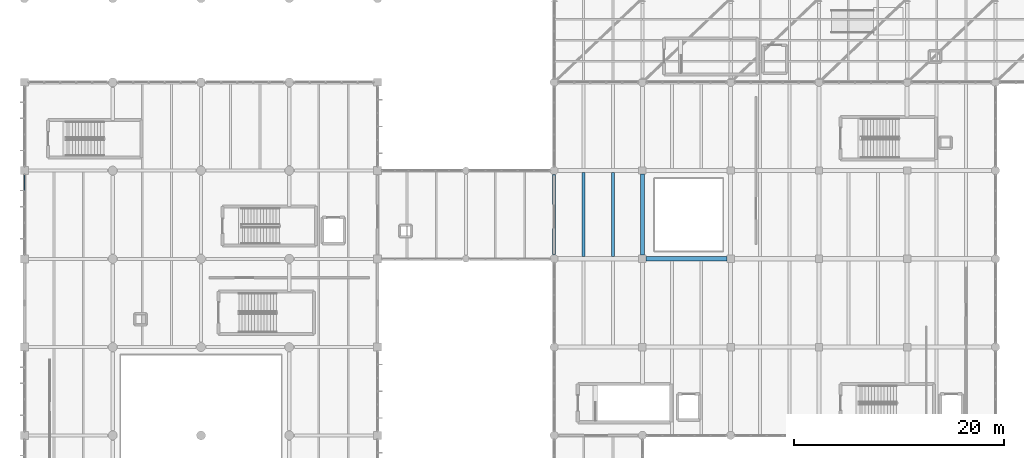
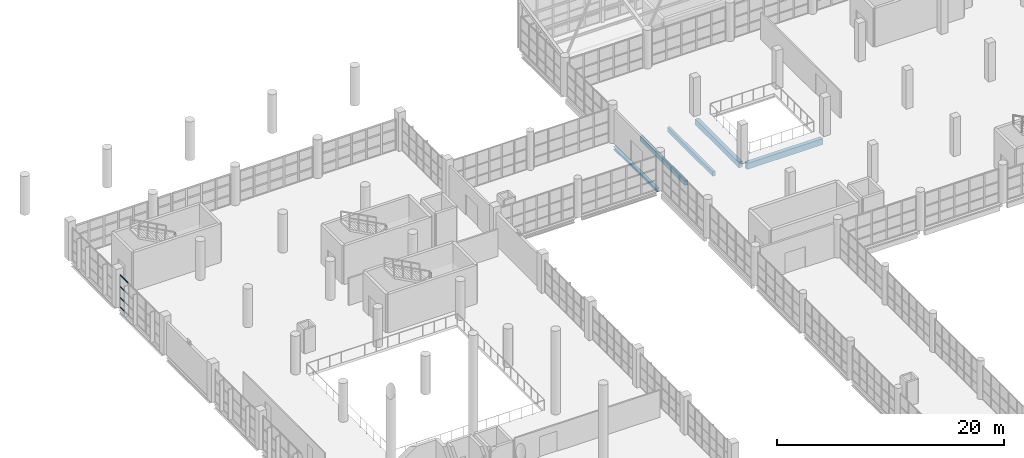
# One storey, part 69 of 177: 5 beams, 4 members, 1 element without a shape of its own.
"""IFC4 building model written with IfcOpenShell, lengths in metres."""

from ifc_helpers import new_model, si_unit, direction, frame, origin, origin_2d, place, context, subcontext, project, spatial, rectangle, hollow_rectangle, i_section, extrude, material, layer, layer_set, material_profile, profile_set, type_object, element, aggregate, save


model = new_model("IFC4")

# Units and contexts
model_context = context("Model", 3, precision=1e-05, world=origin(), true_north=direction((0.0, 1.0)))
body_context = subcontext(model_context, "Body", "Model", "MODEL_VIEW")
ifc_project = project(units=[si_unit("LENGTHUNIT", "METRE"), si_unit("AREAUNIT", "SQUARE_METRE"), si_unit("VOLUMEUNIT", "CUBIC_METRE"), si_unit("PLANEANGLEUNIT", "RADIAN"), si_unit("MASSUNIT", "GRAM", prefix="KILO"), si_unit("THERMODYNAMICTEMPERATUREUNIT", "KELVIN"), si_unit("POWERUNIT", "WATT")], contexts=[model_context])

# Site, building, storey
site_placement = place(None, origin())
site = spatial("IfcSite", under=ifc_project, at=site_placement, CompositionType="ELEMENT")
building_placement = place(site_placement, origin())
building = spatial("IfcBuilding", under=site, at=building_placement, Name="Mavoryth Pier Ferry Terminal", CompositionType="ELEMENT")
storey_placement = place(building_placement, frame((0.0, 0.0, 5.43994140625)))
storey = spatial("IfcBuildingStorey", under=building, at=storey_placement, Name="L01", CompositionType="ELEMENT", Elevation=5.43994140625)

# Beams
ifc_material_1 = material(Name="Concrete C35/45", Category="concrete")
ifc_material_profile_1 = material_profile(ifc_material_1, rectangle(XDim=0.3798828125, YDim=0.6201171875, at=origin_2d()), Name="RC 380x620", Category="concrete")
ifc_profile_set_1 = profile_set([ifc_material_profile_1], Name="Concrete C35/45 - RC 380x620")
beam_type_1 = type_object("IfcBeamType", Name="Girder-RC-380x620", PredefinedType="BEAM", material=ifc_profile_set_1)
beam_1_placement = place(storey_placement, frame((58.800048828125, 89.550048828125, -0.58984375), z_axis=(0.0, 1.0, 0.0), x_axis=(-1.0, 0.0, 0.0)))
element("IfcBeam", 1, at=beam_1_placement, inside=storey, type_object=beam_type_1, Name="Beam B01-BG06-0209", PredefinedType="BEAM", context=body_context, shape_type="SweptSolid", body=[
    extrude(rectangle(XDim=0.3798828125, YDim=0.6201171875, at=origin_2d()), origin(), (0.0, 0.0, 1.0), 7.699951171875),
])
ifc_material_profile_2 = material_profile(ifc_material_1, rectangle(XDim=0.39990234375, YDim=0.64990234375, at=origin_2d()), Name="RC 400x650", Category="concrete")
ifc_profile_set_2 = profile_set([ifc_material_profile_2], Name="Concrete C35/45 - RC 400x650")
beam_type_2 = type_object("IfcBeamType", Name="Girder-RC-400x650", PredefinedType="BEAM", material=ifc_profile_set_2)
beam_2_placement = place(storey_placement, frame((59.14990234375, 89.199951171875, -0.60498046875), z_axis=(1.0, 0.0, 0.0), x_axis=(0.0, 1.0, 0.0)))
element("IfcBeam", 2, at=beam_2_placement, inside=storey, type_object=beam_type_2, Name="Beam B01-BG05-0190", PredefinedType="BEAM", context=body_context, shape_type="SweptSolid", body=[
    extrude(rectangle(XDim=0.39990234375, YDim=0.64990234375, at=origin_2d()), origin(), (0.0, 0.0, 1.0), 7.7001953125),
])
ifc_material_profile_3 = material_profile(ifc_material_1, rectangle(XDim=0.280029296875, YDim=0.47998046875, at=origin_2d()), Name="RC 280x480", Category="concrete")
ifc_profile_set_3 = profile_set([ifc_material_profile_3], Name="Concrete C35/45 - RC 280x480")
beam_type_3 = type_object("IfcBeamType", Name="Joist-RC-280x480", PredefinedType="JOIST", material=ifc_profile_set_3)
for number, where, z_axis, x_axis, name in (
    (3, (53.199951171875, 89.39990234375, -0.52001953125), (0.0, 1.0, 0.0), (-1.0, 0.0, 0.0), "Beam B01-BJ02-0229"),
    (4, (56.0, 89.39990234375, -0.52001953125), (0.0, 1.0, 0.0), (-1.0, 0.0, 0.0), "Beam B01-BJ02-0230"),
):
    element("IfcBeam", number, at=place(storey_placement, frame(where, z_axis=z_axis, x_axis=x_axis)), inside=storey, type_object=beam_type_3, Name=name, PredefinedType="JOIST", context=body_context, shape_type="SweptSolid", body=[
        extrude(rectangle(XDim=0.280029296875, YDim=0.47998046875, at=origin_2d()), origin(), (0.0, 0.0, 1.0), 8.0),
    ])
ifc_material_2 = material(Name="Steel S355J2", Category="steel")
ifc_material_profile_4 = material_profile(ifc_material_2, i_section(OverallWidth=0.300048828125, OverallDepth=0.320068359375, WebThickness=0.011474609375, FlangeThickness=0.0205078125, FilletRadius=0.027099609375, at=origin_2d()), Name="HEB 320", Category="steel")
ifc_profile_set_4 = profile_set([ifc_material_profile_4], Name="Steel S355J2 - HEB 320")
beam_type_4 = type_object("IfcBeamType", Name="Spandrel-Steel-HEB320", PredefinedType="SPANDREL", material=ifc_profile_set_4)
beam_3_placement = place(storey_placement, frame((50.39990234375, 89.590087890625, -0.43994140625), z_axis=(0.0, 1.0, 0.0), x_axis=(-1.0, 0.0, 0.0)))
element("IfcBeam", 5, at=beam_3_placement, inside=storey, type_object=beam_type_4, Name="Beam B01-SP04-0154", PredefinedType="SPANDREL", context=body_context, shape_type="SweptSolid", body=[
    extrude(i_section(OverallWidth=0.300048828125, OverallDepth=0.320068359375, WebThickness=0.011474609375, FlangeThickness=0.0205078125, FilletRadius=0.027099609375, at=origin_2d()), origin(), (0.0, 0.0, 1.0), 7.619873046875),
])

# Curtain wall, members
ifc_material_3 = material(Name="Anodised Aluminium and Solar-Control Low-E Glass", Category="aluminium")
ifc_layer = layer(ifc_material_3, 0.179931640625, Name="Anodised Aluminium and Solar-Control Low-E Glass", Category="aluminium")
ifc_layer_set = layer_set([ifc_layer], Name="Anodised Aluminium and Solar-Control Low-E Glass - CW-Concourse-Mod1400")
curtain_wall_type = type_object("IfcCurtainWallType", Name="CW-Concourse-Mod1400", PredefinedType="USERDEFINED", material=ifc_layer_set)
curtain_wall_placement = place(storey_placement, origin())
curtain_wall = element("IfcCurtainWall", 6, at=curtain_wall_placement, inside=storey, type_object=curtain_wall_type, Name="Curtain Wall CW-0122-027", ObjectType="UNITISED CURTAIN WALL", PredefinedType="USERDEFINED")
ifc_material_4 = material(Name="Anodised Aluminium EN AW-6063", Category="aluminium")
ifc_material_profile_5 = material_profile(ifc_material_4, hollow_rectangle(XDim=0.06005859375, YDim=0.125, WallThickness=0.00390625, InnerFilletRadius=0.00390625, OuterFilletRadius=0.008056640625, at=origin_2d()), Name="AL-TRAN 125x60x4", Category="aluminium")
ifc_profile_set_5 = profile_set([ifc_material_profile_5], Name="Anodised Aluminium EN AW-6063 - AL-TRAN 125x60x4")
member_type = type_object("IfcMemberType", Name="Transom-Alum-125x60", PredefinedType="USERDEFINED", material=ifc_profile_set_5)
member_1_placement = place(storey_placement, frame((0.0, 97.1650390625, 0.030029296875), z_axis=(0.0, -1.0, 0.0), x_axis=(1.0, 0.0, 0.0)))
member_1 = element("IfcMember", 7, at=member_1_placement, type_object=member_type, Name="CW01 transom 1.1", ObjectType="TRANSOM", PredefinedType="USERDEFINED", context=body_context, shape_type="SweptSolid", body=[
    extrude(hollow_rectangle(XDim=0.06005859375, YDim=0.125, WallThickness=0.00390625, InnerFilletRadius=0.00390625, OuterFilletRadius=0.008056640625, at=origin_2d()), origin(), (0.0, 0.0, 1.0), 1.43994140625),
])
member_2_placement = place(storey_placement, frame((0.0, 97.1650390625, 1.050048828125), z_axis=(0.0, -1.0, 0.0), x_axis=(1.0, 0.0, 0.0)))
member_2 = element("IfcMember", 8, at=member_2_placement, type_object=member_type, Name="CW01 transom 1.2", ObjectType="TRANSOM", PredefinedType="USERDEFINED", context=body_context, shape_type="SweptSolid", body=[
    extrude(hollow_rectangle(XDim=0.06005859375, YDim=0.125, WallThickness=0.00390625, InnerFilletRadius=0.00390625, OuterFilletRadius=0.008056640625, at=origin_2d()), origin(), (0.0, 0.0, 1.0), 1.43994140625),
])
member_3_placement = place(storey_placement, frame((0.0, 97.1650390625, 2.25), z_axis=(0.0, -1.0, 0.0), x_axis=(1.0, 0.0, 0.0)))
member_3 = element("IfcMember", 9, at=member_3_placement, type_object=member_type, Name="CW01 transom 1.3", ObjectType="TRANSOM", PredefinedType="USERDEFINED", context=body_context, shape_type="SweptSolid", body=[
    extrude(hollow_rectangle(XDim=0.06005859375, YDim=0.125, WallThickness=0.00390625, InnerFilletRadius=0.00390625, OuterFilletRadius=0.008056640625, at=origin_2d()), origin(), (0.0, 0.0, 1.0), 1.43994140625),
])
member_4_placement = place(storey_placement, frame((0.0, 97.1650390625, 3.485107421875), z_axis=(0.0, -1.0, 0.0), x_axis=(1.0, 0.0, 0.0)))
member_4 = element("IfcMember", 10, at=member_4_placement, type_object=member_type, Name="CW01 transom 1.4", ObjectType="TRANSOM", PredefinedType="USERDEFINED", context=body_context, shape_type="SweptSolid", body=[
    extrude(hollow_rectangle(XDim=0.06005859375, YDim=0.125, WallThickness=0.00390625, InnerFilletRadius=0.00390625, OuterFilletRadius=0.008056640625, at=origin_2d()), origin(), (0.0, 0.0, 1.0), 1.43994140625),
])
aggregate(curtain_wall, [member_1, member_2, member_3, member_4])

save(model, "model.ifc")
